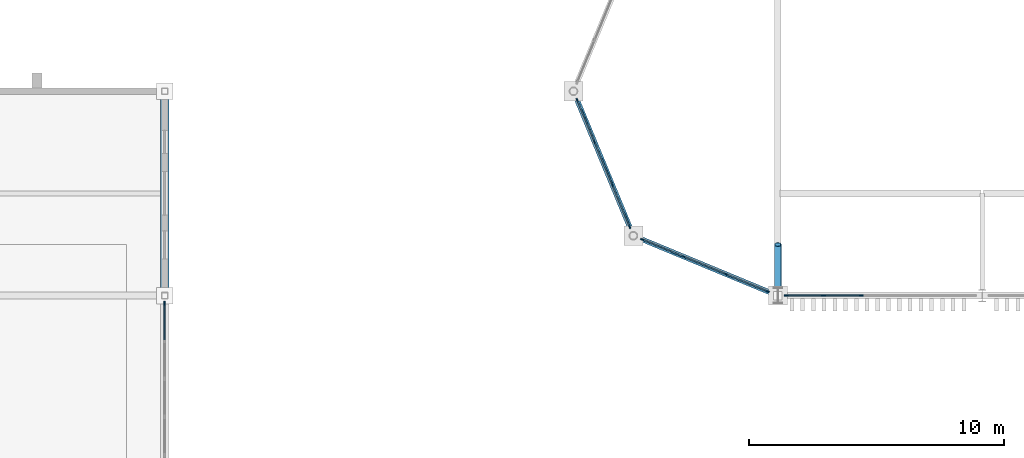
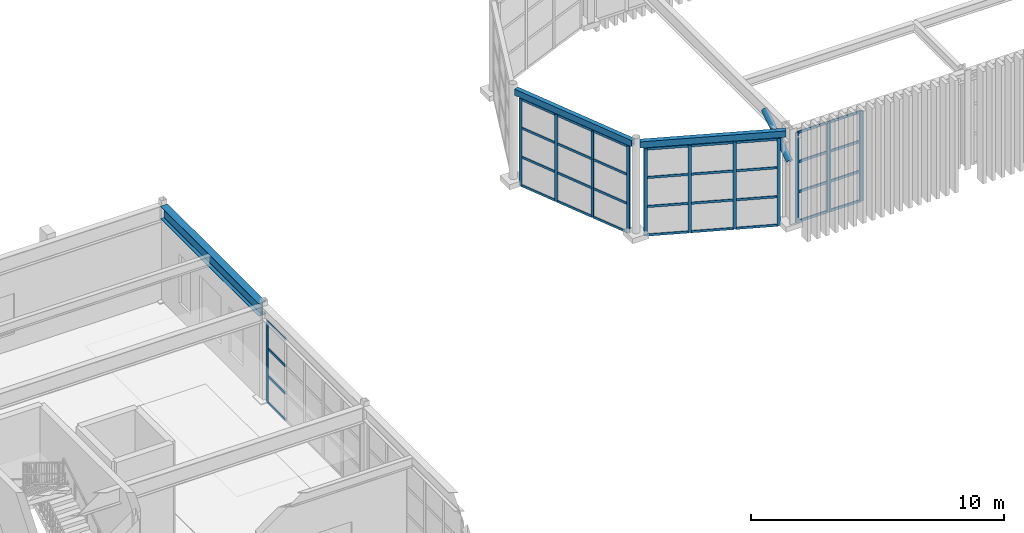
# One storey, part 12 of 61: 49 members, 3 beams, 4 elements without a shape of their own.
"""IFC4 building model written with IfcOpenShell, lengths in metres."""

import ifcopenshell
import ifcopenshell.guid

model = None  # the IFC model being written
_history = None  # IfcOwnerHistory: only IFC2X3 demands one
_inside = {}  # id of a spatial element -> (the spatial element, [elements in it])
_under = {}  # id of a project, library or spatial element -> (it, [spatial elements below it])
_declared = {}  # id of a project -> (the project, [libraries it declares])
_typed = {}  # id of a type object -> (the type object, [elements of that type])
_made_of = {}  # id of a material, layer set ... -> (it, [elements and type objects made of it])


def new_model(schema):
    """Start an empty IFC model of exactly this schema.

    Asked for "IFC4X3", IfcOpenShell would pick the latest addendum, in which some entities
    have other attributes; the version numbers below select the first issue.
    IFC2X3 requires an IfcOwnerHistory on every rooted entity: one is made here for all.
    """
    global model, _history
    if schema == "IFC4X3":
        model = ifcopenshell.file(schema_version=(4, 3, 0, 0))
    else:
        model = ifcopenshell.file(schema=schema)
    _inside.clear()
    _under.clear()
    _declared.clear()
    _typed.clear()
    _made_of.clear()
    _history = None
    if model.schema == "IFC2X3":
        org = make("IfcOrganization", Name="unknown")
        user = make(
            "IfcPersonAndOrganization",
            ThePerson=make("IfcPerson", FamilyName="unknown"),
            TheOrganization=org,
        )
        app = make(
            "IfcApplication",
            ApplicationDeveloper=org,
            Version="unknown",
            ApplicationFullName="unknown",
            ApplicationIdentifier="unknown",
        )
        _history = make(
            "IfcOwnerHistory",
            OwningUser=user,
            OwningApplication=app,
            ChangeAction="ADDED",
            CreationDate=0,
        )
    return model


def make(cls, **values):
    """One entity of the class cls with the attributes given. An attribute that is None is left unset."""
    return model.create_entity(
        cls, **{name: value for name, value in values.items() if value is not None}
    )


def rooted(cls, **values):
    """An entity with a GlobalId (a new one), such as an element, a storey or a relation."""
    return make(cls, GlobalId=ifcopenshell.guid.new(), OwnerHistory=_history, **values)


def si_unit(unit_type, name, prefix=None):
    """IfcSIUnit, for example si_unit("LENGTHUNIT", "METRE", prefix="MILLI")."""
    return make("IfcSIUnit", UnitType=unit_type, Prefix=prefix, Name=name)


def assignment(units):
    """IfcUnitAssignment: the units of a project."""
    return None if units is None else make("IfcUnitAssignment", Units=units)


def point(xyz):
    """IfcCartesianPoint."""
    return None if xyz is None else make("IfcCartesianPoint", Coordinates=xyz)


def direction(xyz):
    """IfcDirection."""
    return None if xyz is None else make("IfcDirection", DirectionRatios=xyz)


def frame(location, z_axis=None, x_axis=None):
    """IfcAxis2Placement3D, a coordinate frame: its origin and axes. An axis left out is left unset."""
    return make(
        "IfcAxis2Placement3D",
        Location=point(location),
        Axis=direction(z_axis),
        RefDirection=direction(x_axis),
    )


def frame_2d(location, x_axis=None):
    """IfcAxis2Placement2D, a coordinate frame in the plane: its origin and x axis."""
    return make(
        "IfcAxis2Placement2D", Location=point(location), RefDirection=direction(x_axis)
    )


def origin():
    """The frame at (0, 0, 0) with its axes left unset."""
    return frame((0.0, 0.0, 0.0))


def origin_2d():
    """The frame at (0, 0) in the plane with its x axis left unset."""
    return frame_2d((0.0, 0.0))


def place(relative_to, where):
    """IfcLocalPlacement: puts the frame where relative to a parent placement (None: the world)."""
    return make(
        "IfcLocalPlacement", PlacementRelTo=relative_to, RelativePlacement=where
    )


def context(
    kind, dimensions, precision=None, world=None, true_north=None, identifier=None
):
    """IfcGeometricRepresentationContext, for example the 3D "Model" context."""
    return make(
        "IfcGeometricRepresentationContext",
        ContextIdentifier=identifier,
        ContextType=kind,
        CoordinateSpaceDimension=dimensions,
        Precision=precision,
        WorldCoordinateSystem=world,
        TrueNorth=true_north,
    )


def subcontext(parent, identifier, kind, view, scale=None):
    """IfcGeometricRepresentationSubContext, for example "Body" below "Model"."""
    return make(
        "IfcGeometricRepresentationSubContext",
        ContextIdentifier=identifier,
        ContextType=kind,
        ParentContext=parent,
        TargetScale=scale,
        TargetView=view,
    )


def project(units=None, contexts=None):
    """IfcProject with its units and contexts."""
    return rooted(
        "IfcProject",
        Name="project",
        RepresentationContexts=contexts,
        UnitsInContext=assignment(units),
    )


def spatial(cls, under=None, at=None, **own):
    """A site, building, storey or space (cls), placed at a placement, below another one or the project."""
    s = rooted(cls, ObjectPlacement=at, **own)
    if under is not None:
        _under.setdefault(under.id(), (under, []))[1].append(s)
    return s


def profile(cls, at=None, kind="AREA", **sizes):
    """A parametric profile (cls). Its sizes go by their IFC names, for example OverallWidth=200.0."""
    return make(cls, ProfileType=kind, Position=at, **sizes)


def rectangle(**sizes):
    """IfcRectangleProfileDef."""
    return profile("IfcRectangleProfileDef", **sizes)


def hollow_rectangle(**sizes):
    """IfcRectangleHollowProfileDef."""
    return profile("IfcRectangleHollowProfileDef", **sizes)


def hollow_circle(**sizes):
    """IfcCircleHollowProfileDef."""
    return profile("IfcCircleHollowProfileDef", **sizes)


def i_section(**sizes):
    """IfcIShapeProfileDef."""
    return profile("IfcIShapeProfileDef", **sizes)


def extrude(swept, where, along, depth):
    """IfcExtrudedAreaSolid: the profile swept, set in the frame where, extruded along a direction by depth."""
    return make(
        "IfcExtrudedAreaSolid",
        SweptArea=swept,
        Position=where,
        ExtrudedDirection=direction(along),
        Depth=depth,
    )


def shape(context_of_items, identifier, shape_type, items):
    """IfcShapeRepresentation: the items that make up one representation, for example the "Body"."""
    return make(
        "IfcShapeRepresentation",
        ContextOfItems=context_of_items,
        RepresentationIdentifier=identifier,
        RepresentationType=shape_type,
        Items=items,
    )


def material(Name=None, Category=None):
    """IfcMaterial."""
    return make("IfcMaterial", Name=Name, Category=Category)


def material_profile(
    of_material, cross_section, Name=None, Category=None, Priority=None
):
    """IfcMaterialProfile: a cross section and its material."""
    return make(
        "IfcMaterialProfile",
        Name=Name,
        Material=of_material,
        Profile=cross_section,
        Priority=Priority,
        Category=Category,
    )


def profile_set(profiles, Name=None, composite=None):
    """IfcMaterialProfileSet."""
    return make(
        "IfcMaterialProfileSet",
        Name=Name,
        MaterialProfiles=profiles,
        CompositeProfile=composite,
    )


def made_of(thing, what):
    """Note that an element or type object is made of a material, layer set ...; save() writes the relation."""
    if what is not None:
        _made_of.setdefault(what.id(), (what, []))[1].append(thing)
    return thing


def type_object(cls, material=None, **own):
    """A type object (cls), such as IfcWallType, which elements share."""
    return made_of(rooted(cls, **own), material)


def element(
    cls,
    number,
    at=None,
    inside=None,
    cuts=None,
    type_object=None,
    material=None,
    context=None,
    identifier="Body",
    shape_type=None,
    held_by="IfcProductDefinitionShape",
    body=None,
    shapes=None,
    **own,
):
    """One element of the class cls, such as IfcWall. Its Tag is "e" and its number.

    at: its placement. inside: the storey or other place that contains it. cuts: it is an
    opening in that element (IfcRelVoidsElement). A single representation is given by context,
    identifier, shape_type and body (its items); several are given by shapes. held_by: the class
    of the entity that holds the representations. save() writes the other relations.
    """
    e = rooted(cls, Tag="e%d" % number, ObjectPlacement=at, **own)
    if body is not None:
        shapes = [shape(context, identifier, shape_type, body)]
    if shapes is not None:
        e.Representation = make(held_by, Representations=shapes)
    if inside is not None:
        _inside.setdefault(inside.id(), (inside, []))[1].append(e)
    if cuts is not None:
        rooted(
            "IfcRelVoidsElement", RelatingBuildingElement=cuts, RelatedOpeningElement=e
        )
    if type_object is not None:
        _typed.setdefault(type_object.id(), (type_object, []))[1].append(e)
    return made_of(e, material)


def aggregate(whole, parts):
    """IfcRelAggregates: a whole, such as a stair, and the parts it consists of."""
    return rooted("IfcRelAggregates", RelatingObject=whole, RelatedObjects=parts)


def save(model, path):
    """Write the relations noted so far, then the file.

    IfcRelAggregates (storeys below a building ...), IfcRelContainedInSpatialStructure (elements
    in a storey), IfcRelDefinesByType, IfcRelAssociatesMaterial and IfcRelDeclares: one each for
    every whole, place, type object, material and project.
    """
    for whole, parts in _under.values():
        aggregate(whole, parts)
    for where, things in _inside.values():
        rooted(
            "IfcRelContainedInSpatialStructure",
            RelatedElements=things,
            RelatingStructure=where,
        )
    for kind, things in _typed.values():
        rooted("IfcRelDefinesByType", RelatedObjects=things, RelatingType=kind)
    for what, things in _made_of.values():
        rooted("IfcRelAssociatesMaterial", RelatedObjects=things, RelatingMaterial=what)
    for by, libraries in _declared.values():
        rooted("IfcRelDeclares", RelatingContext=by, RelatedDefinitions=libraries)
    model.write(path)


model = new_model("IFC4")

# Units and contexts
model_context = context("Model", 3, precision=1e-05, world=origin(), true_north=direction((0.0, 1.0)))
body_context = subcontext(model_context, "Body", "Model", "MODEL_VIEW")
ifc_project = project(units=[si_unit("LENGTHUNIT", "METRE"), si_unit("AREAUNIT", "SQUARE_METRE"), si_unit("VOLUMEUNIT", "CUBIC_METRE"), si_unit("PLANEANGLEUNIT", "RADIAN"), si_unit("MASSUNIT", "GRAM", prefix="KILO")], contexts=[model_context])

# Site, building, storey
site_placement = place(None, origin())
site = spatial("IfcSite", under=ifc_project, at=site_placement, CompositionType="ELEMENT")
building_placement = place(site_placement, origin())
building = spatial("IfcBuilding", under=site, at=building_placement, Name="Serraluz Foothill Cableway Terminal", CompositionType="ELEMENT")
storey_placement = place(building_placement, frame((0.0, 0.0, 15.0)))
storey = spatial("IfcBuildingStorey", under=building, at=storey_placement, Name="L03", CompositionType="ELEMENT", Elevation=15.0)

# Beam
ifc_material_1 = material(Name="Steel ASTM A992 Grade 50", Category="steel")
ifc_material_profile_1 = material_profile(ifc_material_1, i_section(OverallWidth=0.324951171875, OverallDepth=0.615966796875, WebThickness=0.013916015625, FlangeThickness=0.021484375, FilletRadius=0.01806640625, at=origin_2d()), Name="W24X117")
ifc_profile_set_1 = profile_set([ifc_material_profile_1], Name="Steel ASTM A992 Grade 50")
beam_type_1 = type_object("IfcBeamType", Name="TYP-BM-W24X117", PredefinedType="BEAM", material=ifc_profile_set_1)
beam_placement = place(storey_placement, frame((16.0, 56.12109375, 4.257080078125), z_axis=(0.0, 1.0, 0.0), x_axis=(-1.0, 0.0, 0.0)))
element("IfcBeam", 1, at=beam_placement, inside=storey, type_object=beam_type_1, Name="Transverse Girder BM-Y-L03-0384", PredefinedType="BEAM", context=body_context, shape_type="SweptSolid", body=[
    extrude(i_section(OverallWidth=0.324951171875, OverallDepth=0.615966796875, WebThickness=0.013916015625, FlangeThickness=0.021484375, FilletRadius=0.01806640625, at=origin_2d()), origin(), (0.0, 0.0, 1.0), 7.7578125),
])

# Curtain wall, members
ifc_material_2 = material(Name="Architectural bronze alloy C28000", Category="aluminium")
curtain_wall_type_1 = type_object("IfcCurtainWallType", Name="TYP-CW-480X380", PredefinedType="NOTDEFINED", material=ifc_material_2)
curtain_wall_1_placement = place(storey_placement, origin())
curtain_wall_1 = element("IfcCurtainWall", 2, at=curtain_wall_1_placement, inside=storey, type_object=curtain_wall_type_1, Name="Ribbed Glazed Curtain Wall CW-V1-W-L03-1", PredefinedType="NOTDEFINED")
ifc_material_3 = material(Name="Extruded aluminium 6063-T6", Category="aluminium")
ifc_material_profile_2 = material_profile(ifc_material_3, rectangle(XDim=0.054931640625, YDim=0.139892578125, at=origin_2d()), Name="ALU MULLION 55x140")
ifc_profile_set_2 = profile_set([ifc_material_profile_2], Name="Extruded aluminium 6063-T6")
member_type_1 = type_object("IfcMemberType", Name="TYP-CW-MUL-55X140", PredefinedType="MULLION", material=ifc_profile_set_2)
member_1_placement = place(storey_placement, frame((39.59765625, 56.16650390625, 0.0), z_axis=(0.0, 0.0, 1.0), x_axis=(-0.382681674752, -0.923880260537, 0.0)))
member_1 = element("IfcMember", 3, at=member_1_placement, type_object=member_type_1, Name="CW-14 mullion 1", PredefinedType="MULLION", context=body_context, shape_type="SweptSolid", body=[
    extrude(rectangle(XDim=0.054931640625, YDim=0.139892578125, at=origin_2d()), origin(), (0.0, 0.0, 1.0), 4.199951171875),
])
member_2_placement = place(storey_placement, frame((37.971435546875, 56.84033203125, 0.0), z_axis=(0.0, 0.0, 1.0), x_axis=(-0.382681674752, -0.923880260537, 0.0)))
member_2 = element("IfcMember", 4, at=member_2_placement, type_object=member_type_1, Name="CW-14 mullion 2", PredefinedType="MULLION", context=body_context, shape_type="SweptSolid", body=[
    extrude(rectangle(XDim=0.054931640625, YDim=0.139892578125, at=origin_2d()), origin(), (0.0, 0.0, 1.0), 4.199951171875),
])
member_3_placement = place(storey_placement, frame((36.319580078125, 57.5244140625, 0.0), z_axis=(0.0, 0.0, 1.0), x_axis=(-0.382681674752, -0.923880260537, 0.0)))
member_3 = element("IfcMember", 5, at=member_3_placement, type_object=member_type_1, Name="CW-14 mullion 3", PredefinedType="MULLION", context=body_context, shape_type="SweptSolid", body=[
    extrude(rectangle(XDim=0.054931640625, YDim=0.139892578125, at=origin_2d()), origin(), (0.0, 0.0, 1.0), 4.199951171875),
])
member_4_placement = place(storey_placement, frame((34.693359375, 58.197998046875, 0.0), z_axis=(0.0, 0.0, 1.0), x_axis=(-0.382681674752, -0.923880260537, 0.0)))
member_4 = element("IfcMember", 6, at=member_4_placement, type_object=member_type_1, Name="CW-14 mullion 4", PredefinedType="MULLION", context=body_context, shape_type="SweptSolid", body=[
    extrude(rectangle(XDim=0.054931640625, YDim=0.139892578125, at=origin_2d()), origin(), (0.0, 0.0, 1.0), 4.199951171875),
])

curtain_wall_type_2 = type_object("IfcCurtainWallType", Name="TYP-CW-480X420", PredefinedType="NOTDEFINED", material=ifc_material_2)
curtain_wall_2_placement = place(storey_placement, origin())
curtain_wall_2 = element("IfcCurtainWall", 7, at=curtain_wall_2_placement, inside=storey, type_object=curtain_wall_type_2, Name="Ribbed Glazed Curtain Wall CW-V1-W-L03-2", PredefinedType="NOTDEFINED")
member_5_placement = place(storey_placement, frame((34.197998046875, 58.693359375, 0.0), z_axis=(0.0, 0.0, 1.0), x_axis=(-0.923878982655, -0.382684759834, 0.0)))
member_5 = element("IfcMember", 8, at=member_5_placement, type_object=member_type_1, Name="CW-15 mullion 1", PredefinedType="MULLION", context=body_context, shape_type="SweptSolid", body=[
    extrude(rectangle(XDim=0.054931640625, YDim=0.139892578125, at=origin_2d()), origin(), (0.0, 0.0, 1.0), 4.199951171875),
])
member_6_placement = place(storey_placement, frame((33.517333984375, 60.3369140625, 0.0), z_axis=(0.0, 0.0, 1.0), x_axis=(-0.923878982655, -0.382684759834, 0.0)))
member_6 = element("IfcMember", 9, at=member_6_placement, type_object=member_type_1, Name="CW-15 mullion 2", PredefinedType="MULLION", context=body_context, shape_type="SweptSolid", body=[
    extrude(rectangle(XDim=0.054931640625, YDim=0.139892578125, at=origin_2d()), origin(), (0.0, 0.0, 1.0), 4.199951171875),
])
member_7_placement = place(storey_placement, frame((32.825927734375, 62.006103515625, 0.0), z_axis=(0.0, 0.0, 1.0), x_axis=(-0.923878982655, -0.382684759834, 0.0)))
member_7 = element("IfcMember", 10, at=member_7_placement, type_object=member_type_1, Name="CW-15 mullion 3", PredefinedType="MULLION", context=body_context, shape_type="SweptSolid", body=[
    extrude(rectangle(XDim=0.054931640625, YDim=0.139892578125, at=origin_2d()), origin(), (0.0, 0.0, 1.0), 4.199951171875),
])
member_8_placement = place(storey_placement, frame((32.14501953125, 63.64990234375, 0.0), z_axis=(0.0, 0.0, 1.0), x_axis=(-0.923878982655, -0.382684759834, 0.0)))
member_8 = element("IfcMember", 11, at=member_8_placement, type_object=member_type_1, Name="CW-15 mullion 4", PredefinedType="MULLION", context=body_context, shape_type="SweptSolid", body=[
    extrude(rectangle(XDim=0.054931640625, YDim=0.139892578125, at=origin_2d()), origin(), (0.0, 0.0, 1.0), 4.199951171875),
])

curtain_wall_type_3 = type_object("IfcCurtainWallType", Name="TYP-CW-520X440", PredefinedType="NOTDEFINED", material=ifc_material_2)
curtain_wall_3_placement = place(storey_placement, origin())
curtain_wall_3 = element("IfcCurtainWall", 12, at=curtain_wall_3_placement, inside=storey, type_object=curtain_wall_type_3, Name="Ribbed Glazed Curtain Wall CW-V1S-L03-40", PredefinedType="NOTDEFINED")
ifc_material_profile_3 = material_profile(ifc_material_2, rectangle(XDim=0.06005859375, YDim=0.159912109375, at=origin_2d()), Name="ALU MULLION 60x160")
ifc_profile_set_3 = profile_set([ifc_material_profile_3], Name="Architectural bronze alloy C28000")
member_type_2 = type_object("IfcMemberType", Name="TYP-CW-MUL-60X160", PredefinedType="MULLION", material=ifc_profile_set_3)
member_9_placement = place(storey_placement, frame((43.268798828125, 56.0, 0.0), z_axis=(0.0, 0.0, 1.0), x_axis=(0.0, -1.0, 0.0)))
member_9 = element("IfcMember", 13, at=member_9_placement, type_object=member_type_2, Name="CW-08 mullion 4", PredefinedType="MULLION", context=body_context, shape_type="SweptSolid", body=[
    extrude(rectangle(XDim=0.06005859375, YDim=0.159912109375, at=origin_2d()), origin(), (0.0, 0.0, 1.0), 4.35009765625),
])
member_10_placement = place(storey_placement, frame((41.78564453125, 56.0, 0.0), z_axis=(0.0, 0.0, 1.0), x_axis=(0.0, -1.0, 0.0)))
member_10 = element("IfcMember", 14, at=member_10_placement, type_object=member_type_2, Name="CW-08 mullion 5", PredefinedType="MULLION", context=body_context, shape_type="SweptSolid", body=[
    extrude(rectangle(XDim=0.06005859375, YDim=0.159912109375, at=origin_2d()), origin(), (0.0, 0.0, 1.0), 4.35009765625),
])
member_11_placement = place(storey_placement, frame((40.33251953125, 56.0, 0.0), z_axis=(0.0, 0.0, 1.0), x_axis=(0.0, -1.0, 0.0)))
member_11 = element("IfcMember", 15, at=member_11_placement, type_object=member_type_2, Name="CW-08 mullion 6", PredefinedType="MULLION", context=body_context, shape_type="SweptSolid", body=[
    extrude(rectangle(XDim=0.06005859375, YDim=0.159912109375, at=origin_2d()), origin(), (0.0, 0.0, 1.0), 4.35009765625),
])

# Curtain wall, member
curtain_wall_4_placement = place(storey_placement, origin())
curtain_wall_4 = element("IfcCurtainWall", 16, at=curtain_wall_4_placement, inside=storey, type_object=curtain_wall_type_2, Name="Ribbed Glazed Curtain Wall CW-V5E-L03-48", PredefinedType="NOTDEFINED")
member_12_placement = place(storey_placement, frame((16.0, 55.705078125, 0.0), z_axis=(0.0, 0.0, 1.0), x_axis=(1.0, 0.0, 0.0)))
member_12 = element("IfcMember", 17, at=member_12_placement, type_object=member_type_2, Name="CW-15 mullion 1", PredefinedType="MULLION", context=body_context, shape_type="SweptSolid", body=[
    extrude(rectangle(XDim=0.06005859375, YDim=0.159912109375, at=origin_2d()), origin(), (0.0, 0.0, 1.0), 3.944091796875),
])

# Member
ifc_material_profile_4 = material_profile(ifc_material_3, rectangle(XDim=0.054931640625, YDim=0.110107421875, at=origin_2d()), Name="ALU TRANSOM 55x110")
ifc_profile_set_4 = profile_set([ifc_material_profile_4], Name="Extruded aluminium 6063-T6")
member_type_3 = type_object("IfcMemberType", Name="TYP-CW-TRN-55X110", PredefinedType="USERDEFINED", material=ifc_profile_set_4)
member_13_placement = place(storey_placement, frame((39.572265625, 56.17724609375, 0.027587890625), z_axis=(-0.923875488976, 0.382693194178, 0.0), x_axis=(-0.382693194178, -0.923875488976, 0.0)))
member_13 = element("IfcMember", 18, at=member_13_placement, type_object=member_type_3, Name="CW-14 transom 1.1", ObjectType="TRANSOM", PredefinedType="USERDEFINED", context=body_context, shape_type="SweptSolid", body=[
    extrude(rectangle(XDim=0.054931640625, YDim=0.110107421875, at=origin_2d()), origin(), (0.0, 0.0, 1.0), 1.705322265625),
])

member_14_placement = place(storey_placement, frame((39.572265625, 56.17724609375, 1.39990234375), z_axis=(-0.923875488976, 0.382693194178, 0.0), x_axis=(-0.382693194178, -0.923875488976, 0.0)))
member_14 = element("IfcMember", 19, at=member_14_placement, type_object=member_type_3, Name="CW-14 transom 1.2", ObjectType="TRANSOM", PredefinedType="USERDEFINED", context=body_context, shape_type="SweptSolid", body=[
    extrude(rectangle(XDim=0.054931640625, YDim=0.110107421875, at=origin_2d()), origin(), (0.0, 0.0, 1.0), 1.705322265625),
])

member_15_placement = place(storey_placement, frame((39.572265625, 56.17724609375, 2.800048828125), z_axis=(-0.923875488976, 0.382693194178, 0.0), x_axis=(-0.382693194178, -0.923875488976, 0.0)))
member_15 = element("IfcMember", 20, at=member_15_placement, type_object=member_type_3, Name="CW-14 transom 1.3", ObjectType="TRANSOM", PredefinedType="USERDEFINED", context=body_context, shape_type="SweptSolid", body=[
    extrude(rectangle(XDim=0.054931640625, YDim=0.110107421875, at=origin_2d()), origin(), (0.0, 0.0, 1.0), 1.705322265625),
])

member_16_placement = place(storey_placement, frame((39.572265625, 56.17724609375, 4.172607421875), z_axis=(-0.923875488976, 0.382693194178, 0.0), x_axis=(-0.382693194178, -0.923875488976, 0.0)))
member_16 = element("IfcMember", 21, at=member_16_placement, type_object=member_type_3, Name="CW-14 transom 1.4", ObjectType="TRANSOM", PredefinedType="USERDEFINED", context=body_context, shape_type="SweptSolid", body=[
    extrude(rectangle(XDim=0.054931640625, YDim=0.110107421875, at=origin_2d()), origin(), (0.0, 0.0, 1.0), 1.705322265625),
])

member_17_placement = place(storey_placement, frame((37.946044921875, 56.850830078125, 0.027587890625), z_axis=(-0.923900079523, 0.382633823724, 0.0), x_axis=(-0.382633823724, -0.923900079523, 0.0)))
member_17 = element("IfcMember", 22, at=member_17_placement, type_object=member_type_3, Name="CW-14 transom 2.1", ObjectType="TRANSOM", PredefinedType="USERDEFINED", context=body_context, shape_type="SweptSolid", body=[
    extrude(rectangle(XDim=0.054931640625, YDim=0.110107421875, at=origin_2d()), origin(), (0.0, 0.0, 1.0), 1.73291015625),
])

member_18_placement = place(storey_placement, frame((37.946044921875, 56.850830078125, 1.39990234375), z_axis=(-0.923900079523, 0.382633823724, 0.0), x_axis=(-0.382633823724, -0.923900079523, 0.0)))
member_18 = element("IfcMember", 23, at=member_18_placement, type_object=member_type_3, Name="CW-14 transom 2.2", ObjectType="TRANSOM", PredefinedType="USERDEFINED", context=body_context, shape_type="SweptSolid", body=[
    extrude(rectangle(XDim=0.054931640625, YDim=0.110107421875, at=origin_2d()), origin(), (0.0, 0.0, 1.0), 1.73291015625),
])

member_19_placement = place(storey_placement, frame((37.946044921875, 56.850830078125, 2.800048828125), z_axis=(-0.923900079523, 0.382633823724, 0.0), x_axis=(-0.382633823724, -0.923900079523, 0.0)))
member_19 = element("IfcMember", 24, at=member_19_placement, type_object=member_type_3, Name="CW-14 transom 2.3", ObjectType="TRANSOM", PredefinedType="USERDEFINED", context=body_context, shape_type="SweptSolid", body=[
    extrude(rectangle(XDim=0.054931640625, YDim=0.110107421875, at=origin_2d()), origin(), (0.0, 0.0, 1.0), 1.73291015625),
])

member_20_placement = place(storey_placement, frame((37.946044921875, 56.850830078125, 4.172607421875), z_axis=(-0.923900079523, 0.382633823724, 0.0), x_axis=(-0.382633823724, -0.923900079523, 0.0)))
member_20 = element("IfcMember", 25, at=member_20_placement, type_object=member_type_3, Name="CW-14 transom 2.4", ObjectType="TRANSOM", PredefinedType="USERDEFINED", context=body_context, shape_type="SweptSolid", body=[
    extrude(rectangle(XDim=0.054931640625, YDim=0.110107421875, at=origin_2d()), origin(), (0.0, 0.0, 1.0), 1.73291015625),
])

member_21_placement = place(storey_placement, frame((36.294189453125, 57.534912109375, 0.027587890625), z_axis=(-0.923875488976, 0.382693194178, 0.0), x_axis=(-0.382693194178, -0.923875488976, 0.0)))
member_21 = element("IfcMember", 26, at=member_21_placement, type_object=member_type_3, Name="CW-14 transom 3.1", ObjectType="TRANSOM", PredefinedType="USERDEFINED", context=body_context, shape_type="SweptSolid", body=[
    extrude(rectangle(XDim=0.054931640625, YDim=0.110107421875, at=origin_2d()), origin(), (0.0, 0.0, 1.0), 1.705322265625),
])

member_22_placement = place(storey_placement, frame((36.294189453125, 57.534912109375, 1.39990234375), z_axis=(-0.923875488976, 0.382693194178, 0.0), x_axis=(-0.382693194178, -0.923875488976, 0.0)))
member_22 = element("IfcMember", 27, at=member_22_placement, type_object=member_type_3, Name="CW-14 transom 3.2", ObjectType="TRANSOM", PredefinedType="USERDEFINED", context=body_context, shape_type="SweptSolid", body=[
    extrude(rectangle(XDim=0.054931640625, YDim=0.110107421875, at=origin_2d()), origin(), (0.0, 0.0, 1.0), 1.705322265625),
])

member_23_placement = place(storey_placement, frame((36.294189453125, 57.534912109375, 2.800048828125), z_axis=(-0.923875488976, 0.382693194178, 0.0), x_axis=(-0.382693194178, -0.923875488976, 0.0)))
member_23 = element("IfcMember", 28, at=member_23_placement, type_object=member_type_3, Name="CW-14 transom 3.3", ObjectType="TRANSOM", PredefinedType="USERDEFINED", context=body_context, shape_type="SweptSolid", body=[
    extrude(rectangle(XDim=0.054931640625, YDim=0.110107421875, at=origin_2d()), origin(), (0.0, 0.0, 1.0), 1.705322265625),
])

member_24_placement = place(storey_placement, frame((36.294189453125, 57.534912109375, 4.172607421875), z_axis=(-0.923875488976, 0.382693194178, 0.0), x_axis=(-0.382693194178, -0.923875488976, 0.0)))
member_24 = element("IfcMember", 29, at=member_24_placement, type_object=member_type_3, Name="CW-14 transom 3.4", ObjectType="TRANSOM", PredefinedType="USERDEFINED", context=body_context, shape_type="SweptSolid", body=[
    extrude(rectangle(XDim=0.054931640625, YDim=0.110107421875, at=origin_2d()), origin(), (0.0, 0.0, 1.0), 1.705322265625),
])

aggregate(curtain_wall_1, [member_1, member_2, member_3, member_4, member_13, member_14, member_15, member_16, member_17, member_18, member_19, member_20, member_21, member_22, member_23, member_24])

member_25_placement = place(storey_placement, frame((34.1875, 58.71875, 0.027587890625), z_axis=(-0.382643629872, 0.923896018239, 0.0), x_axis=(-0.923896018239, -0.382643629872, 0.0)))
member_25 = element("IfcMember", 30, at=member_25_placement, type_object=member_type_3, Name="CW-15 transom 1.1", ObjectType="TRANSOM", PredefinedType="USERDEFINED", context=body_context, shape_type="SweptSolid", body=[
    extrude(rectangle(XDim=0.054931640625, YDim=0.110107421875, at=origin_2d()), origin(), (0.0, 0.0, 1.0), 1.723876953125),
])

member_26_placement = place(storey_placement, frame((34.1875, 58.71875, 1.39990234375), z_axis=(-0.382643629872, 0.923896018239, 0.0), x_axis=(-0.923896018239, -0.382643629872, 0.0)))
member_26 = element("IfcMember", 31, at=member_26_placement, type_object=member_type_3, Name="CW-15 transom 1.2", ObjectType="TRANSOM", PredefinedType="USERDEFINED", context=body_context, shape_type="SweptSolid", body=[
    extrude(rectangle(XDim=0.054931640625, YDim=0.110107421875, at=origin_2d()), origin(), (0.0, 0.0, 1.0), 1.723876953125),
])

member_27_placement = place(storey_placement, frame((34.1875, 58.71875, 2.800048828125), z_axis=(-0.382643629872, 0.923896018239, 0.0), x_axis=(-0.923896018239, -0.382643629872, 0.0)))
member_27 = element("IfcMember", 32, at=member_27_placement, type_object=member_type_3, Name="CW-15 transom 1.3", ObjectType="TRANSOM", PredefinedType="USERDEFINED", context=body_context, shape_type="SweptSolid", body=[
    extrude(rectangle(XDim=0.054931640625, YDim=0.110107421875, at=origin_2d()), origin(), (0.0, 0.0, 1.0), 1.723876953125),
])

member_28_placement = place(storey_placement, frame((34.1875, 58.71875, 4.172607421875), z_axis=(-0.382643629872, 0.923896018239, 0.0), x_axis=(-0.923896018239, -0.382643629872, 0.0)))
member_28 = element("IfcMember", 33, at=member_28_placement, type_object=member_type_3, Name="CW-15 transom 1.4", ObjectType="TRANSOM", PredefinedType="USERDEFINED", context=body_context, shape_type="SweptSolid", body=[
    extrude(rectangle(XDim=0.054931640625, YDim=0.110107421875, at=origin_2d()), origin(), (0.0, 0.0, 1.0), 1.723876953125),
])

member_29_placement = place(storey_placement, frame((33.506591796875, 60.3623046875, 0.027587890625), z_axis=(-0.382585676577, 0.923920018226, 0.0), x_axis=(-0.923920018226, -0.382585676577, 0.0)))
member_29 = element("IfcMember", 34, at=member_29_placement, type_object=member_type_3, Name="CW-15 transom 2.1", ObjectType="TRANSOM", PredefinedType="USERDEFINED", context=body_context, shape_type="SweptSolid", body=[
    extrude(rectangle(XDim=0.054931640625, YDim=0.110107421875, at=origin_2d()), origin(), (0.0, 0.0, 1.0), 1.751708984375),
])

member_30_placement = place(storey_placement, frame((33.506591796875, 60.3623046875, 1.39990234375), z_axis=(-0.382585676577, 0.923920018226, 0.0), x_axis=(-0.923920018226, -0.382585676577, 0.0)))
member_30 = element("IfcMember", 35, at=member_30_placement, type_object=member_type_3, Name="CW-15 transom 2.2", ObjectType="TRANSOM", PredefinedType="USERDEFINED", context=body_context, shape_type="SweptSolid", body=[
    extrude(rectangle(XDim=0.054931640625, YDim=0.110107421875, at=origin_2d()), origin(), (0.0, 0.0, 1.0), 1.751708984375),
])

member_31_placement = place(storey_placement, frame((33.506591796875, 60.3623046875, 2.800048828125), z_axis=(-0.382585676577, 0.923920018226, 0.0), x_axis=(-0.923920018226, -0.382585676577, 0.0)))
member_31 = element("IfcMember", 36, at=member_31_placement, type_object=member_type_3, Name="CW-15 transom 2.3", ObjectType="TRANSOM", PredefinedType="USERDEFINED", context=body_context, shape_type="SweptSolid", body=[
    extrude(rectangle(XDim=0.054931640625, YDim=0.110107421875, at=origin_2d()), origin(), (0.0, 0.0, 1.0), 1.751708984375),
])

member_32_placement = place(storey_placement, frame((33.506591796875, 60.3623046875, 4.172607421875), z_axis=(-0.382585676577, 0.923920018226, 0.0), x_axis=(-0.923920018226, -0.382585676577, 0.0)))
member_32 = element("IfcMember", 37, at=member_32_placement, type_object=member_type_3, Name="CW-15 transom 2.4", ObjectType="TRANSOM", PredefinedType="USERDEFINED", context=body_context, shape_type="SweptSolid", body=[
    extrude(rectangle(XDim=0.054931640625, YDim=0.110107421875, at=origin_2d()), origin(), (0.0, 0.0, 1.0), 1.751708984375),
])

member_33_placement = place(storey_placement, frame((32.8154296875, 62.031494140625, 0.027587890625), z_axis=(-0.382764500292, 0.92384594891, 0.0), x_axis=(-0.92384594891, -0.382764500292, 0.0)))
member_33 = element("IfcMember", 38, at=member_33_placement, type_object=member_type_3, Name="CW-15 transom 3.1", ObjectType="TRANSOM", PredefinedType="USERDEFINED", context=body_context, shape_type="SweptSolid", body=[
    extrude(rectangle(XDim=0.054931640625, YDim=0.110107421875, at=origin_2d()), origin(), (0.0, 0.0, 1.0), 1.72412109375),
])

member_34_placement = place(storey_placement, frame((32.8154296875, 62.031494140625, 1.39990234375), z_axis=(-0.382764500292, 0.92384594891, 0.0), x_axis=(-0.92384594891, -0.382764500292, 0.0)))
member_34 = element("IfcMember", 39, at=member_34_placement, type_object=member_type_3, Name="CW-15 transom 3.2", ObjectType="TRANSOM", PredefinedType="USERDEFINED", context=body_context, shape_type="SweptSolid", body=[
    extrude(rectangle(XDim=0.054931640625, YDim=0.110107421875, at=origin_2d()), origin(), (0.0, 0.0, 1.0), 1.72412109375),
])

member_35_placement = place(storey_placement, frame((32.8154296875, 62.031494140625, 2.800048828125), z_axis=(-0.382764500292, 0.92384594891, 0.0), x_axis=(-0.92384594891, -0.382764500292, 0.0)))
member_35 = element("IfcMember", 40, at=member_35_placement, type_object=member_type_3, Name="CW-15 transom 3.3", ObjectType="TRANSOM", PredefinedType="USERDEFINED", context=body_context, shape_type="SweptSolid", body=[
    extrude(rectangle(XDim=0.054931640625, YDim=0.110107421875, at=origin_2d()), origin(), (0.0, 0.0, 1.0), 1.72412109375),
])

member_36_placement = place(storey_placement, frame((32.8154296875, 62.031494140625, 4.172607421875), z_axis=(-0.382764500292, 0.92384594891, 0.0), x_axis=(-0.92384594891, -0.382764500292, 0.0)))
member_36 = element("IfcMember", 41, at=member_36_placement, type_object=member_type_3, Name="CW-15 transom 3.4", ObjectType="TRANSOM", PredefinedType="USERDEFINED", context=body_context, shape_type="SweptSolid", body=[
    extrude(rectangle(XDim=0.054931640625, YDim=0.110107421875, at=origin_2d()), origin(), (0.0, 0.0, 1.0), 1.72412109375),
])

aggregate(curtain_wall_2, [member_5, member_6, member_7, member_8, member_25, member_26, member_27, member_28, member_29, member_30, member_31, member_32, member_33, member_34, member_35, member_36])

ifc_material_profile_5 = material_profile(ifc_material_2, rectangle(XDim=0.06005859375, YDim=0.1201171875, at=origin_2d()), Name="ALU TRANSOM 60x120")
ifc_profile_set_5 = profile_set([ifc_material_profile_5], Name="Architectural bronze alloy C28000")
member_type_4 = type_object("IfcMemberType", Name="TYP-CW-TRN-60X120", PredefinedType="USERDEFINED", material=ifc_profile_set_5)
member_37_placement = place(storey_placement, frame((43.239013671875, 56.0, 0.030029296875), z_axis=(-1.0, 0.0, 0.0), x_axis=(0.0, -1.0, 0.0)))
member_37 = element("IfcMember", 42, at=member_37_placement, type_object=member_type_4, Name="CW-08 transom 4.1", ObjectType="TRANSOM", PredefinedType="USERDEFINED", context=body_context, shape_type="SweptSolid", body=[
    extrude(rectangle(XDim=0.06005859375, YDim=0.1201171875, at=origin_2d()), origin(), (0.0, 0.0, 1.0), 1.42333984375),
])

member_38_placement = place(storey_placement, frame((43.239013671875, 56.0, 1.449951171875), z_axis=(-1.0, 0.0, 0.0), x_axis=(0.0, -1.0, 0.0)))
member_38 = element("IfcMember", 43, at=member_38_placement, type_object=member_type_4, Name="CW-08 transom 4.2", ObjectType="TRANSOM", PredefinedType="USERDEFINED", context=body_context, shape_type="SweptSolid", body=[
    extrude(rectangle(XDim=0.06005859375, YDim=0.1201171875, at=origin_2d()), origin(), (0.0, 0.0, 1.0), 1.42333984375),
])

member_39_placement = place(storey_placement, frame((43.239013671875, 56.0, 2.89990234375), z_axis=(-1.0, 0.0, 0.0), x_axis=(0.0, -1.0, 0.0)))
member_39 = element("IfcMember", 44, at=member_39_placement, type_object=member_type_4, Name="CW-08 transom 4.3", ObjectType="TRANSOM", PredefinedType="USERDEFINED", context=body_context, shape_type="SweptSolid", body=[
    extrude(rectangle(XDim=0.06005859375, YDim=0.1201171875, at=origin_2d()), origin(), (0.0, 0.0, 1.0), 1.42333984375),
])

member_40_placement = place(storey_placement, frame((43.239013671875, 56.0, 4.320068359375), z_axis=(-1.0, 0.0, 0.0), x_axis=(0.0, -1.0, 0.0)))
member_40 = element("IfcMember", 45, at=member_40_placement, type_object=member_type_4, Name="CW-08 transom 4.4", ObjectType="TRANSOM", PredefinedType="USERDEFINED", context=body_context, shape_type="SweptSolid", body=[
    extrude(rectangle(XDim=0.06005859375, YDim=0.1201171875, at=origin_2d()), origin(), (0.0, 0.0, 1.0), 1.42333984375),
])

member_41_placement = place(storey_placement, frame((41.755615234375, 56.0, 0.030029296875), z_axis=(-1.0, 0.0, 0.0), x_axis=(0.0, -1.0, 0.0)))
member_41 = element("IfcMember", 46, at=member_41_placement, type_object=member_type_4, Name="CW-08 transom 5.1", ObjectType="TRANSOM", PredefinedType="USERDEFINED", context=body_context, shape_type="SweptSolid", body=[
    extrude(rectangle(XDim=0.06005859375, YDim=0.1201171875, at=origin_2d()), origin(), (0.0, 0.0, 1.0), 1.39306640625),
])

member_42_placement = place(storey_placement, frame((41.755615234375, 56.0, 1.449951171875), z_axis=(-1.0, 0.0, 0.0), x_axis=(0.0, -1.0, 0.0)))
member_42 = element("IfcMember", 47, at=member_42_placement, type_object=member_type_4, Name="CW-08 transom 5.2", ObjectType="TRANSOM", PredefinedType="USERDEFINED", context=body_context, shape_type="SweptSolid", body=[
    extrude(rectangle(XDim=0.06005859375, YDim=0.1201171875, at=origin_2d()), origin(), (0.0, 0.0, 1.0), 1.39306640625),
])

member_43_placement = place(storey_placement, frame((41.755615234375, 56.0, 2.89990234375), z_axis=(-1.0, 0.0, 0.0), x_axis=(0.0, -1.0, 0.0)))
member_43 = element("IfcMember", 48, at=member_43_placement, type_object=member_type_4, Name="CW-08 transom 5.3", ObjectType="TRANSOM", PredefinedType="USERDEFINED", context=body_context, shape_type="SweptSolid", body=[
    extrude(rectangle(XDim=0.06005859375, YDim=0.1201171875, at=origin_2d()), origin(), (0.0, 0.0, 1.0), 1.39306640625),
])

member_44_placement = place(storey_placement, frame((41.755615234375, 56.0, 4.320068359375), z_axis=(-1.0, 0.0, 0.0), x_axis=(0.0, -1.0, 0.0)))
member_44 = element("IfcMember", 49, at=member_44_placement, type_object=member_type_4, Name="CW-08 transom 5.4", ObjectType="TRANSOM", PredefinedType="USERDEFINED", context=body_context, shape_type="SweptSolid", body=[
    extrude(rectangle(XDim=0.06005859375, YDim=0.1201171875, at=origin_2d()), origin(), (0.0, 0.0, 1.0), 1.39306640625),
])

aggregate(curtain_wall_3, [member_9, member_10, member_11, member_37, member_38, member_39, member_40, member_41, member_42, member_43, member_44])

member_45_placement = place(storey_placement, frame((16.0, 55.675048828125, 0.030029296875), z_axis=(0.0, -1.0, 0.0), x_axis=(1.0, 0.0, 0.0)))
member_45 = element("IfcMember", 50, at=member_45_placement, type_object=member_type_4, Name="CW-15 transom 1.1", ObjectType="TRANSOM", PredefinedType="USERDEFINED", context=body_context, shape_type="SweptSolid", body=[
    extrude(rectangle(XDim=0.06005859375, YDim=0.1201171875, at=origin_2d()), origin(), (0.0, 0.0, 1.0), 1.404052734375),
])

member_46_placement = place(storey_placement, frame((16.0, 55.675048828125, 1.314697265625), z_axis=(0.0, -1.0, 0.0), x_axis=(1.0, 0.0, 0.0)))
member_46 = element("IfcMember", 51, at=member_46_placement, type_object=member_type_4, Name="CW-15 transom 1.2", ObjectType="TRANSOM", PredefinedType="USERDEFINED", context=body_context, shape_type="SweptSolid", body=[
    extrude(rectangle(XDim=0.06005859375, YDim=0.1201171875, at=origin_2d()), origin(), (0.0, 0.0, 1.0), 1.404052734375),
])

member_47_placement = place(storey_placement, frame((16.0, 55.675048828125, 2.62939453125), z_axis=(0.0, -1.0, 0.0), x_axis=(1.0, 0.0, 0.0)))
member_47 = element("IfcMember", 52, at=member_47_placement, type_object=member_type_4, Name="CW-15 transom 1.3", ObjectType="TRANSOM", PredefinedType="USERDEFINED", context=body_context, shape_type="SweptSolid", body=[
    extrude(rectangle(XDim=0.06005859375, YDim=0.1201171875, at=origin_2d()), origin(), (0.0, 0.0, 1.0), 1.404052734375),
])

member_48_placement = place(storey_placement, frame((16.0, 55.675048828125, 3.9140625), z_axis=(0.0, -1.0, 0.0), x_axis=(1.0, 0.0, 0.0)))
member_48 = element("IfcMember", 53, at=member_48_placement, type_object=member_type_4, Name="CW-15 transom 1.4", ObjectType="TRANSOM", PredefinedType="USERDEFINED", context=body_context, shape_type="SweptSolid", body=[
    extrude(rectangle(XDim=0.06005859375, YDim=0.1201171875, at=origin_2d()), origin(), (0.0, 0.0, 1.0), 1.404052734375),
])

aggregate(curtain_wall_4, [member_12, member_45, member_46, member_47, member_48])

# Beams
ifc_material_4 = material(Name="Steel ASTM A572 Grade 50", Category="steel")
ifc_material_profile_6 = material_profile(ifc_material_4, hollow_rectangle(XDim=0.199951171875, YDim=0.300048828125, WallThickness=0.011962890625, at=origin_2d()), Name="HSS300X200X12")
ifc_profile_set_6 = profile_set([ifc_material_profile_6], Name="Steel ASTM A572 Grade 50")
beam_type_2 = type_object("IfcBeamType", Name="TYP-SP-HSS300X200", PredefinedType="SPANDREL", material=ifc_profile_set_6)
for number, where, z_axis, x_axis, name in (
    (54, (39.861328125, 56.057373046875, 4.449951171875), (-0.923882435674, 0.382676423435, 0.0), (-0.382676423435, -0.923882435674, 0.0), "Curved End Ring Beam W-L03-1"),
    (55, (34.28564453125, 58.481689453125, 4.449951171875), (-0.382676423435, 0.923882435674, 0.0), (-0.923882435674, -0.382676423435, 0.0), "Curved End Ring Beam W-L03-2"),
):
    element("IfcBeam", number, at=place(storey_placement, frame(where, z_axis=z_axis, x_axis=x_axis)), inside=storey, type_object=beam_type_2, Name=name, PredefinedType="SPANDREL", context=body_context, shape_type="SweptSolid", body=[
        extrude(hollow_rectangle(XDim=0.199951171875, YDim=0.300048828125, WallThickness=0.011962890625, at=origin_2d()), origin(), (0.0, 0.0, 1.0), 5.82275390625),
    ])

# Member
ifc_material_profile_7 = material_profile(ifc_material_4, hollow_circle(Radius=0.136474609375, WallThickness=0.011962890625, at=origin_2d()), Name="CHS273X12")
ifc_profile_set_7 = profile_set([ifc_material_profile_7], Name="Steel ASTM A572 Grade 50")
member_type_5 = type_object("IfcMemberType", Name="TYP-ST-CHS273", PredefinedType="STRUT", material=ifc_profile_set_7)
member_49_placement = place(storey_placement, frame((40.0, 56.0, 3.050048828125), z_axis=(0.0, 0.838434262763, 0.545002740383), x_axis=(-1.0, 0.0, 0.0)))
element("IfcMember", 56, at=member_49_placement, inside=storey, type_object=member_type_5, Name="Portal Knee Strut STRUT-TR-01-S", PredefinedType="STRUT", context=body_context, shape_type="SweptSolid", body=[
    extrude(hollow_circle(Radius=0.136474609375, WallThickness=0.011962890625, at=origin_2d()), origin(), (0.0, 0.0, 1.0), 2.385498046875),
])

save(model, "model.ifc")
